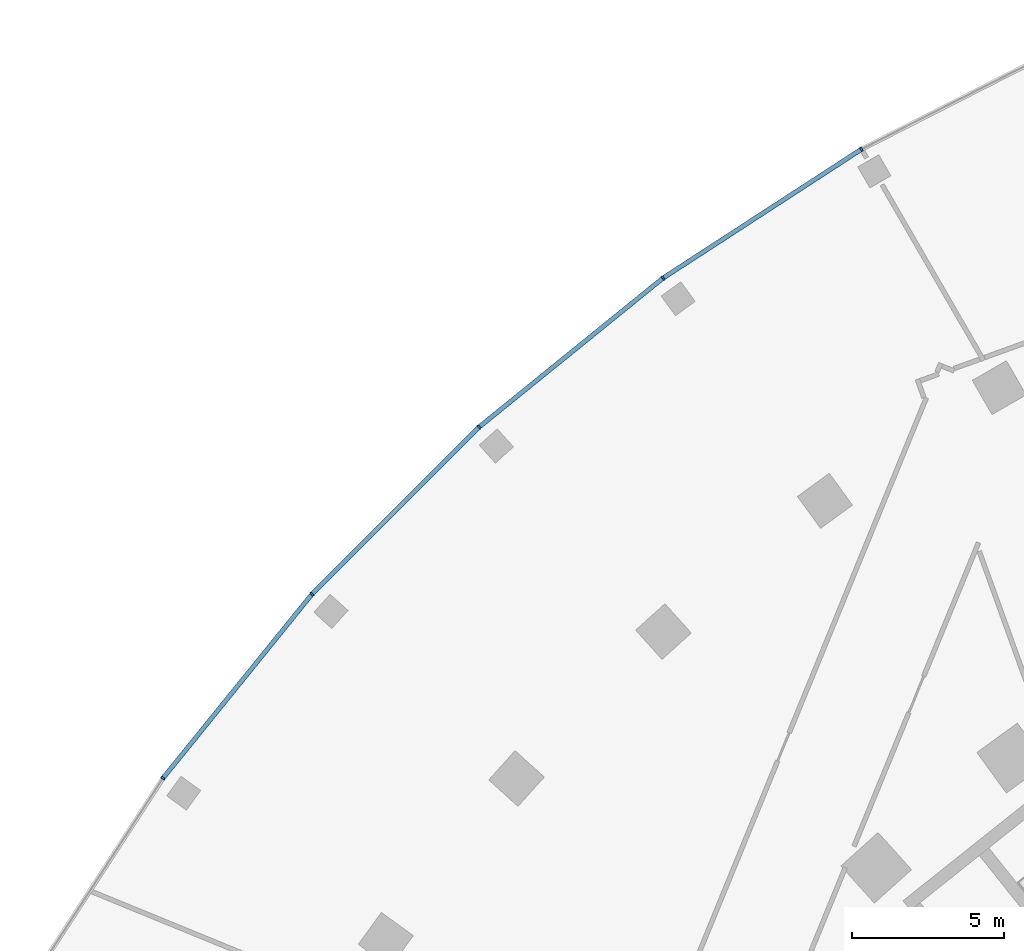
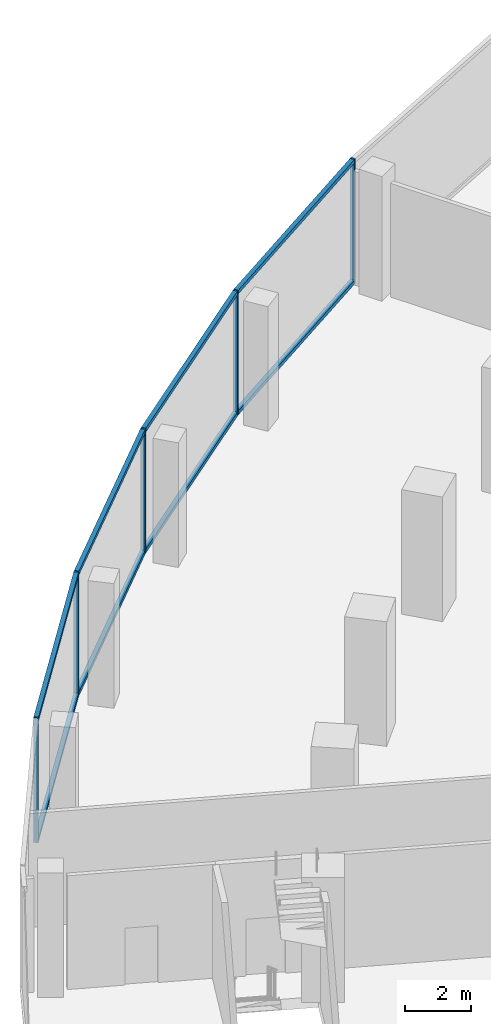
# One storey, part 6 of 39: 13 members, 1 element without a shape of its own.
"""IFC4 building model written with IfcOpenShell, lengths in metres."""

from ifc_helpers import new_model, si_unit, direction, frame, origin, origin_2d, place, context, subcontext, project, spatial, rectangle, extrude, material, layer, layer_set, material_profile, profile_set, type_object, element, aggregate, save


model = new_model("IFC4")

# Units and contexts
model_context = context("Model", 3, precision=1e-05, world=origin(), true_north=direction((0.0, 1.0)))
body_context = subcontext(model_context, "Body", "Model", "MODEL_VIEW")
ifc_project = project(units=[si_unit("LENGTHUNIT", "METRE"), si_unit("AREAUNIT", "SQUARE_METRE"), si_unit("VOLUMEUNIT", "CUBIC_METRE"), si_unit("PLANEANGLEUNIT", "RADIAN"), si_unit("MASSUNIT", "GRAM", prefix="KILO")], contexts=[model_context])

# Site, building, storey
site_placement = place(None, origin())
site = spatial("IfcSite", under=ifc_project, at=site_placement, CompositionType="ELEMENT")
building_placement = place(site_placement, origin())
building = spatial("IfcBuilding", under=site, at=building_placement, Name="Stone Belt Terrace Tower", CompositionType="ELEMENT")
storey_placement = place(building_placement, frame((0.0, 0.0, 20.800048828125)))
storey = spatial("IfcBuildingStorey", under=building, at=storey_placement, Name="L04", CompositionType="ELEMENT", Elevation=20.800048828125)

# Curtain wall, members
ifc_material = material(Name="Aluminium 6063-T6 anodised frame", Category="aluminium")
ifc_layer = layer(ifc_material, 0.14990234375)
ifc_layer_set = layer_set([ifc_layer], Name="CW-D podium shopfront")
curtain_wall_type = type_object("IfcCurtainWallType", Name="CW-D podium shopfront", PredefinedType="NOTDEFINED", material=ifc_layer_set)
curtain_wall_placement = place(storey_placement, origin())
curtain_wall = element("IfcCurtainWall", 1, at=curtain_wall_placement, inside=storey, type_object=curtain_wall_type, Name="CW-D convex face L04", PredefinedType="NOTDEFINED")
ifc_material_profile_1 = material_profile(ifc_material, rectangle(XDim=0.14990234375, YDim=0.06005859375, at=origin_2d()), Name="Aluminium 6063-T6 60x150")
ifc_profile_set_1 = profile_set([ifc_material_profile_1], Name="Aluminium 6063-T6 anodised frame")
member_type_1 = type_object("IfcMemberType", Name="CW-D mullion 60 x 150", PredefinedType="MULLION", material=ifc_profile_set_1)
member_1_placement = place(storey_placement, frame((-37.28759765625, 64.583984375, 0.0), z_axis=(0.0, 0.0, 1.0), x_axis=(0.5, -0.866025403784, 0.0)))
member_1 = element("IfcMember", 2, at=member_1_placement, type_object=member_type_1, Name="CW-D mullion 18", PredefinedType="MULLION", context=body_context, shape_type="SweptSolid", body=[
    extrude(rectangle(XDim=0.14990234375, YDim=0.06005859375, at=origin_2d()), origin(), (0.0, 0.0, 1.0), 4.599853515625),
])
member_2_placement = place(storey_placement, frame((-43.834228515625, 60.33251953125, 0.0), z_axis=(0.0, 0.0, 1.0), x_axis=(0.587785252292, -0.809016994375, 0.0)))
member_2 = element("IfcMember", 3, at=member_2_placement, type_object=member_type_1, Name="CW-D mullion 19", PredefinedType="MULLION", context=body_context, shape_type="SweptSolid", body=[
    extrude(rectangle(XDim=0.14990234375, YDim=0.06005859375, at=origin_2d()), origin(), (0.0, 0.0, 1.0), 4.599853515625),
])
member_3_placement = place(storey_placement, frame((-49.900390625, 55.420166015625, 0.0), z_axis=(0.0, 0.0, 1.0), x_axis=(0.669130606359, -0.743144825477, 0.0)))
member_3 = element("IfcMember", 4, at=member_3_placement, type_object=member_type_1, Name="CW-D mullion 20", PredefinedType="MULLION", context=body_context, shape_type="SweptSolid", body=[
    extrude(rectangle(XDim=0.14990234375, YDim=0.06005859375, at=origin_2d()), origin(), (0.0, 0.0, 1.0), 4.599853515625),
])
member_4_placement = place(storey_placement, frame((-55.420166015625, 49.900390625, 0.0), z_axis=(0.0, 0.0, 1.0), x_axis=(0.743144825477, -0.669130606359, 0.0)))
member_4 = element("IfcMember", 5, at=member_4_placement, type_object=member_type_1, Name="CW-D mullion 21", PredefinedType="MULLION", context=body_context, shape_type="SweptSolid", body=[
    extrude(rectangle(XDim=0.14990234375, YDim=0.06005859375, at=origin_2d()), origin(), (0.0, 0.0, 1.0), 4.599853515625),
])
member_5_placement = place(storey_placement, frame((-60.33251953125, 43.834228515625, 0.0), z_axis=(0.0, 0.0, 1.0), x_axis=(0.809016994375, -0.587785252292, 0.0)))
member_5 = element("IfcMember", 6, at=member_5_placement, type_object=member_type_1, Name="CW-D mullion 22", PredefinedType="MULLION", context=body_context, shape_type="SweptSolid", body=[
    extrude(rectangle(XDim=0.14990234375, YDim=0.06005859375, at=origin_2d()), origin(), (0.0, 0.0, 1.0), 4.599853515625),
])
ifc_material_profile_2 = material_profile(ifc_material, rectangle(XDim=0.14990234375, YDim=0.139892578125, at=origin_2d()), Name="Aluminium 6063-T6 150x140")
ifc_profile_set_2 = profile_set([ifc_material_profile_2], Name="Aluminium 6063-T6 anodised frame")
member_type_2 = type_object("IfcMemberType", Name="CW-D transom 140 x 150", PredefinedType="USERDEFINED", material=ifc_profile_set_2)
member_6_placement = place(storey_placement, frame((-37.31591796875, 64.5654296875, 0.070068359375), z_axis=(-0.83867853224, -0.54462677088, 0.0), x_axis=(0.54462677088, -0.83867853224, 0.0)))
member_6 = element("IfcMember", 7, at=member_6_placement, type_object=member_type_2, Name="CW-D transom 18.1", ObjectType="TRANSOM", PredefinedType="USERDEFINED", context=body_context, shape_type="SweptSolid", body=[
    extrude(rectangle(XDim=0.14990234375, YDim=0.139892578125, at=origin_2d()), origin(), (0.0, 0.0, 1.0), 7.738037109375),
])
member_7_placement = place(storey_placement, frame((-37.31591796875, 64.5654296875, 4.530029296875), z_axis=(-0.83867853224, -0.54462677088, 0.0), x_axis=(0.54462677088, -0.83867853224, 0.0)))
member_7 = element("IfcMember", 8, at=member_7_placement, type_object=member_type_2, Name="CW-D transom 18.2", ObjectType="TRANSOM", PredefinedType="USERDEFINED", context=body_context, shape_type="SweptSolid", body=[
    extrude(rectangle(XDim=0.14990234375, YDim=0.139892578125, at=origin_2d()), origin(), (0.0, 0.0, 1.0), 7.738037109375),
])
member_8_placement = place(storey_placement, frame((-43.860595703125, 60.311279296875, 0.070068359375), z_axis=(-0.777139794023, -0.62932800712, 0.0), x_axis=(0.62932800712, -0.777139794023, 0.0)))
member_8 = element("IfcMember", 9, at=member_8_placement, type_object=member_type_2, Name="CW-D transom 19.1", ObjectType="TRANSOM", PredefinedType="USERDEFINED", context=body_context, shape_type="SweptSolid", body=[
    extrude(rectangle(XDim=0.14990234375, YDim=0.139892578125, at=origin_2d()), origin(), (0.0, 0.0, 1.0), 7.73828125),
])
member_9_placement = place(storey_placement, frame((-43.860595703125, 60.311279296875, 4.530029296875), z_axis=(-0.777139794023, -0.62932800712, 0.0), x_axis=(0.62932800712, -0.777139794023, 0.0)))
member_9 = element("IfcMember", 10, at=member_9_placement, type_object=member_type_2, Name="CW-D transom 19.2", ObjectType="TRANSOM", PredefinedType="USERDEFINED", context=body_context, shape_type="SweptSolid", body=[
    extrude(rectangle(XDim=0.14990234375, YDim=0.139892578125, at=origin_2d()), origin(), (0.0, 0.0, 1.0), 7.73828125),
])
member_10_placement = place(storey_placement, frame((-49.924560546875, 55.396240234375, 0.070068359375), z_axis=(-0.707106781187, -0.707106781187, 0.0), x_axis=(0.707106781187, -0.707106781187, 0.0)))
member_10 = element("IfcMember", 11, at=member_10_placement, type_object=member_type_2, Name="CW-D transom 20.1", ObjectType="TRANSOM", PredefinedType="USERDEFINED", context=body_context, shape_type="SweptSolid", body=[
    extrude(rectangle(XDim=0.14990234375, YDim=0.139892578125, at=origin_2d()), origin(), (0.0, 0.0, 1.0), 7.738037109375),
])
member_11_placement = place(storey_placement, frame((-49.924560546875, 55.396240234375, 4.530029296875), z_axis=(-0.707106781187, -0.707106781187, 0.0), x_axis=(0.707106781187, -0.707106781187, 0.0)))
member_11 = element("IfcMember", 12, at=member_11_placement, type_object=member_type_2, Name="CW-D transom 20.2", ObjectType="TRANSOM", PredefinedType="USERDEFINED", context=body_context, shape_type="SweptSolid", body=[
    extrude(rectangle(XDim=0.14990234375, YDim=0.139892578125, at=origin_2d()), origin(), (0.0, 0.0, 1.0), 7.738037109375),
])
member_12_placement = place(storey_placement, frame((-55.44140625, 49.874267578125, 0.070068359375), z_axis=(-0.62932800712, -0.777139794023, 0.0), x_axis=(0.777139794023, -0.62932800712, 0.0)))
member_12 = element("IfcMember", 13, at=member_12_placement, type_object=member_type_2, Name="CW-D transom 21.1", ObjectType="TRANSOM", PredefinedType="USERDEFINED", context=body_context, shape_type="SweptSolid", body=[
    extrude(rectangle(XDim=0.14990234375, YDim=0.139892578125, at=origin_2d()), origin(), (0.0, 0.0, 1.0), 7.73828125),
])
member_13_placement = place(storey_placement, frame((-55.44140625, 49.874267578125, 4.530029296875), z_axis=(-0.62932800712, -0.777139794023, 0.0), x_axis=(0.777139794023, -0.62932800712, 0.0)))
member_13 = element("IfcMember", 14, at=member_13_placement, type_object=member_type_2, Name="CW-D transom 21.2", ObjectType="TRANSOM", PredefinedType="USERDEFINED", context=body_context, shape_type="SweptSolid", body=[
    extrude(rectangle(XDim=0.14990234375, YDim=0.139892578125, at=origin_2d()), origin(), (0.0, 0.0, 1.0), 7.73828125),
])
aggregate(curtain_wall, [member_1, member_2, member_3, member_4, member_5, member_6, member_7, member_8, member_9, member_10, member_11, member_12, member_13])

save(model, "model.ifc")
